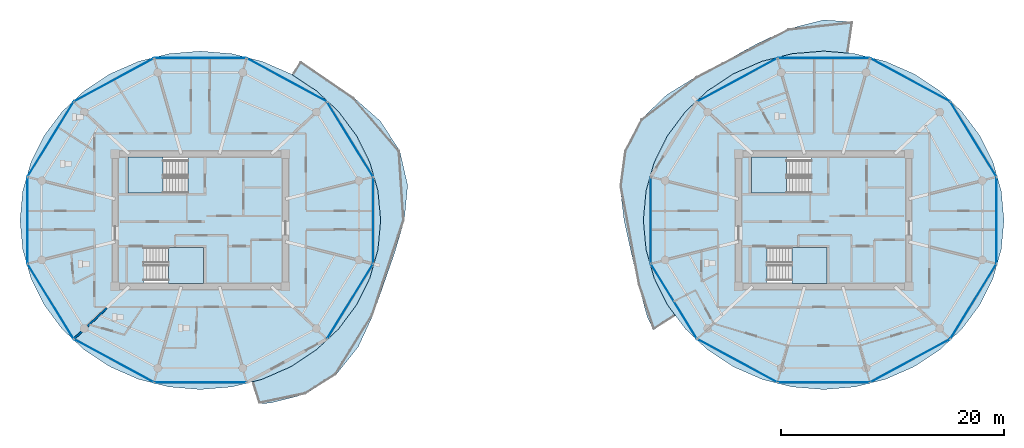
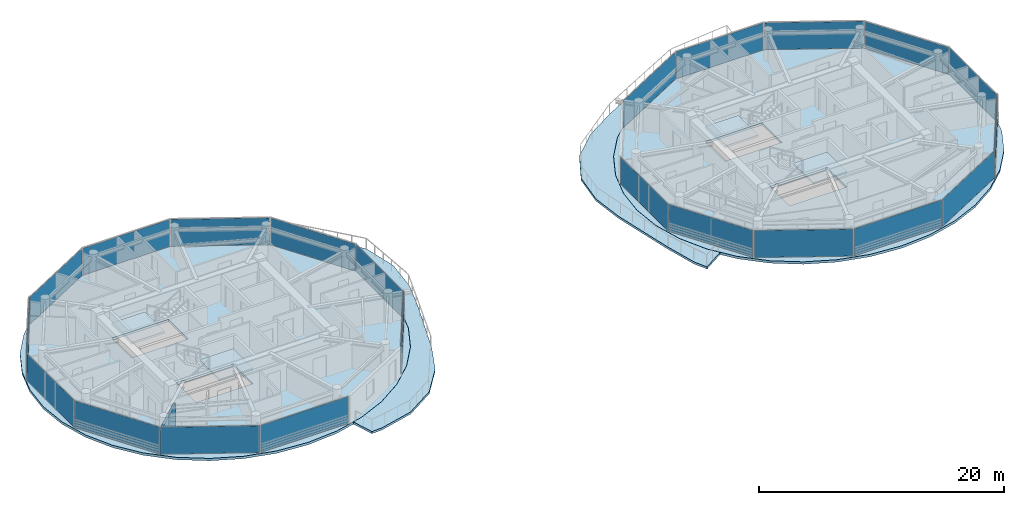
# One storey, part 8 of 19: 22 plates, 8 slabs, 1 wall, 26 elements without a shape of their own.
"""IFC4 building model written with IfcOpenShell, lengths in metres."""

from ifc_helpers import new_model, si_unit, direction, frame, frame_2d, origin, origin_2d, place, context, subcontext, project, spatial, polyline, rectangle, outline, extrude, source, transform, mapped, material, layer, layer_set, type_object, type_shapes, element, aggregate, save


model = new_model("IFC4")

# Units and contexts
model_context = context("Model", 3, precision=1e-05, world=origin(), true_north=direction((0.0, 1.0)))
body_context = subcontext(model_context, "Body", "Model", "MODEL_VIEW")
ifc_project = project(units=[si_unit("LENGTHUNIT", "METRE"), si_unit("AREAUNIT", "SQUARE_METRE"), si_unit("VOLUMEUNIT", "CUBIC_METRE"), si_unit("PLANEANGLEUNIT", "RADIAN"), si_unit("MASSUNIT", "GRAM", prefix="KILO")], contexts=[model_context])

# Site, building, storey
site_placement = place(None, origin())
site = spatial("IfcSite", under=ifc_project, at=site_placement, CompositionType="ELEMENT")
building_placement = place(site_placement, origin())
building = spatial("IfcBuilding", under=site, at=building_placement, Name="Norrkilde Senior Care Towers", CompositionType="ELEMENT")
storey_placement = place(building_placement, frame((0.0, 0.0, 193.699951171875)))
storey = spatial("IfcBuildingStorey", under=building, at=storey_placement, Name="L60", CompositionType="ELEMENT", Elevation=193.699951171875)

# Slabs
ifc_material_1 = material(Name="Concrete C50/60", Category="concrete")
ifc_layer_1 = layer(ifc_material_1, 0.215087890625)
ifc_layer_set_1 = layer_set([ifc_layer_1], Name="Concrete C50/60")
slab_type_1 = type_object("IfcSlabType", Name="Sinusoidal Balcony Ribbon Slab 215", PredefinedType="FLOOR", material=ifc_layer_set_1)
slab_1_placement = place(storey_placement, frame((0.0, 0.0, -0.21484375)))
element("IfcSlab", 1, at=slab_1_placement, inside=storey, type_object=slab_type_1, Name="L60 Drum W Swirling Senior Balcony 1", PredefinedType="FLOOR", context=body_context, shape_type="SweptSolid", body=[
    extrude(outline(polyline([(-12.490478515625, -8.510498046875), (-13.80859375, -11.363525390625), (-15.82177734375, -13.8857421875), (-18.568115234375, -15.6220703125), (-21.72900390625, -16.421630859375), (-22.727294921875, -16.46923828125), (-23.353515625, -14.51318359375), (-22.45751953125, -14.2880859375), (-19.8974609375, -13.16796875), (-17.583740234375, -11.647705078125), (-15.586181640625, -9.773681640625), (-13.966064453125, -7.6025390625), (-12.772216796875, -5.200439453125), (-12.041259765625, -2.640380859375), (-11.794921875, 0.0), (-12.041259765625, 2.640380859375), (-12.772216796875, 5.200439453125), (-13.966064453125, 7.6025390625), (-15.586181640625, 9.773681640625), (-17.583740234375, 11.647705078125), (-19.76806640625, 13.0830078125), (-19.001708984375, 14.301025390625), (-16.722900390625, 12.7412109375), (-14.20361328125, 11.01025390625), (-11.83056640625, 8.916748046875), (-10.084228515625, 6.2431640625), (-9.374267578125, 3.1416015625), (-9.675048828125, 0.0), (-10.541259765625, -2.92236328125), (-11.50732421875, -5.691162109375), (-12.490478515625, -8.510498046875)])), origin(), (0.0, 0.0, 1.0), 0.21484375),
])
slab_2_placement = place(storey_placement, frame((0.0, 0.0, -0.21484375)))
element("IfcSlab", 2, at=slab_2_placement, inside=storey, type_object=slab_type_1, Name="L60 Drum E Swirling Senior Balcony 1", PredefinedType="FLOOR", context=body_context, shape_type="SweptSolid", body=[
    extrude(outline(polyline([(11.349365234375, -5.75244140625), (10.707763671875, -2.890869140625), (10.0625, 0.0), (9.697265625, 3.080810546875), (10.116943359375, 6.230712890625), (11.5888671875, 9.0654296875), (13.90576171875, 11.276611328125), (16.58056640625, 12.922119140625), (19.257080078125, 14.3505859375), (21.93359375, 15.82275390625), (24.818115234375, 17.1982421875), (28.0, 17.99609375), (30.62353515625, 17.826416015625), (30.2109375, 15.0234375), (28.0, 15.205078125), (25.18603515625, 14.97412109375), (22.45751953125, 14.2880859375), (19.8974609375, 13.16796875), (17.583740234375, 11.647705078125), (15.586181640625, 9.773681640625), (13.966064453125, 7.6025390625), (12.772216796875, 5.200439453125), (12.041259765625, 2.640380859375), (11.794921875, 0.0), (12.041259765625, -2.640380859375), (12.772216796875, -5.200439453125), (13.966064453125, -7.6025390625), (14.6904296875, -8.572998046875), (12.71435546875, -9.845947265625), (12.16064453125, -8.713623046875), (11.349365234375, -5.75244140625)])), origin(), (0.0, 0.0, 1.0), 0.21484375),
])

# Stair, slab
ifc_material_2 = material(Name="Concrete C45/55", Category="concrete")
stair_type = type_object("IfcStairType", Name="Core Protected Dogleg Stair Typical 3050", PredefinedType="HALF_TURN_STAIR", material=ifc_material_2)
stair_1_placement = place(storey_placement, origin())
stair_1 = element("IfcStair", 3, at=stair_1_placement, inside=storey, type_object=stair_type, Name="L60 Protected Core Stair W1", PredefinedType="HALF_TURN_STAIR")
ifc_layer_2 = layer(ifc_material_2, 0.199951171875)
ifc_layer_set_2 = layer_set([ifc_layer_2], Name="Concrete C45/55")
slab_type_2 = type_object("IfcSlabType", Name="Stair Landing Slab 200", PredefinedType="LANDING", material=ifc_layer_set_2)
slab_3_placement = place(storey_placement, frame((0.0, 0.0, 1.324951171875)))
slab_3 = element("IfcSlab", 4, at=slab_3_placement, type_object=slab_type_2, Name="ST-W1 landing 1", PredefinedType="LANDING", context=body_context, shape_type="SweptSolid", body=[
    extrude(outline(polyline([(-31.340087890625, 5.68994140625), (-34.5, 5.68994140625), (-34.5, 2.449951171875), (-31.340087890625, 2.449951171875), (-31.340087890625, 5.68994140625)])), origin(), (0.0, 0.0, 1.0), 0.2001953125),
])
aggregate(stair_1, [slab_3])

stair_2_placement = place(storey_placement, origin())
stair_2 = element("IfcStair", 5, at=stair_2_placement, inside=storey, type_object=stair_type, Name="L60 Protected Core Stair W2", PredefinedType="HALF_TURN_STAIR")
slab_4_placement = place(storey_placement, frame((0.0, 0.0, 1.324951171875)))
slab_4 = element("IfcSlab", 6, at=slab_4_placement, type_object=slab_type_2, Name="ST-W2 landing 1", PredefinedType="LANDING", context=body_context, shape_type="SweptSolid", body=[
    extrude(outline(polyline([(-30.860107421875, -5.68994140625), (-27.699951171875, -5.68994140625), (-27.699951171875, -2.449951171875), (-30.860107421875, -2.449951171875), (-30.860107421875, -5.68994140625)])), origin(), (0.0, 0.0, 1.0), 0.2001953125),
])
aggregate(stair_2, [slab_4])

stair_3_placement = place(storey_placement, origin())
stair_3 = element("IfcStair", 7, at=stair_3_placement, inside=storey, type_object=stair_type, Name="L60 Protected Core Stair E1", PredefinedType="HALF_TURN_STAIR")
slab_5_placement = place(storey_placement, frame((0.0, 0.0, 1.324951171875)))
slab_5 = element("IfcSlab", 8, at=slab_5_placement, type_object=slab_type_2, Name="ST-E1 landing 1", PredefinedType="LANDING", context=body_context, shape_type="SweptSolid", body=[
    extrude(outline(polyline([(24.659912109375, 5.68994140625), (21.5, 5.68994140625), (21.5, 2.449951171875), (24.659912109375, 2.449951171875), (24.659912109375, 5.68994140625)])), origin(), (0.0, 0.0, 1.0), 0.2001953125),
])
aggregate(stair_3, [slab_5])

stair_4_placement = place(storey_placement, origin())
stair_4 = element("IfcStair", 9, at=stair_4_placement, inside=storey, type_object=stair_type, Name="L60 Protected Core Stair E2", PredefinedType="HALF_TURN_STAIR")
slab_6_placement = place(storey_placement, frame((0.0, 0.0, 1.324951171875)))
slab_6 = element("IfcSlab", 10, at=slab_6_placement, type_object=slab_type_2, Name="ST-E2 landing 1", PredefinedType="LANDING", context=body_context, shape_type="SweptSolid", body=[
    extrude(outline(polyline([(25.139892578125, -5.68994140625), (28.300048828125, -5.68994140625), (28.300048828125, -2.449951171875), (25.139892578125, -2.449951171875), (25.139892578125, -5.68994140625)])), origin(), (0.0, 0.0, 1.0), 0.2001953125),
])
aggregate(stair_4, [slab_6])

# Slabs
ifc_layer_3 = layer(ifc_material_1, 0.239990234375)
ifc_layer_set_3 = layer_set([ifc_layer_3], Name="Concrete C50/60")
slab_type_3 = type_object("IfcSlabType", Name="Tower Residence Floor Slab 240", PredefinedType="FLOOR", material=ifc_layer_set_3)
slab_7_placement = place(storey_placement, frame((0.0, 0.0, -0.239990234375)))
element("IfcSlab", 11, at=slab_7_placement, inside=storey, type_object=slab_type_3, Name="L60 Drum W Structural Floor Slab", PredefinedType="FLOOR", context=body_context, shape_type="SweptSolid", body=[
    extrude(outline(polyline([(-12.777099609375, -5.19873046875), (-13.970458984375, -7.60009765625), (-15.590087890625, -9.770263671875), (-17.5869140625, -11.643798828125), (-19.89990234375, -13.16357421875), (-22.459228515625, -14.283447265625), (-25.18701171875, -14.968994140625), (-28.0, -15.199951171875), (-30.81298828125, -14.968994140625), (-33.540771484375, -14.283447265625), (-36.10009765625, -13.16357421875), (-38.4130859375, -11.643798828125), (-40.409912109375, -9.770263671875), (-42.029541015625, -7.60009765625), (-43.222900390625, -5.19873046875), (-43.953857421875, -2.639404296875), (-44.199951171875, 0.0), (-43.953857421875, 2.639404296875), (-43.222900390625, 5.19873046875), (-42.029541015625, 7.60009765625), (-40.409912109375, 9.770263671875), (-38.4130859375, 11.643798828125), (-36.10009765625, 13.16357421875), (-33.540771484375, 14.283447265625), (-30.81298828125, 14.968994140625), (-28.0, 15.199951171875), (-25.18701171875, 14.968994140625), (-22.459228515625, 14.283447265625), (-19.89990234375, 13.16357421875), (-17.5869140625, 11.643798828125), (-15.590087890625, 9.770263671875), (-13.970458984375, 7.60009765625), (-12.777099609375, 5.19873046875), (-12.046142578125, 2.639404296875), (-11.800048828125, 0.0), (-12.046142578125, -2.639404296875), (-12.777099609375, -5.19873046875)]), holes=[polyline([(-34.48193359375, 2.468017578125), (-29.117919921875, 2.468017578125), (-29.117919921875, 5.68994140625), (-34.48193359375, 5.68994140625), (-34.48193359375, 2.468017578125)]), polyline([(-27.718017578125, -5.68994140625), (-27.718017578125, -2.468017578125), (-33.08203125, -2.468017578125), (-33.08203125, -5.68994140625), (-27.718017578125, -5.68994140625)])]), origin(), (0.0, 0.0, 1.0), 0.239990234375),
])
slab_8_placement = place(storey_placement, frame((0.0, 0.0, -0.239990234375)))
element("IfcSlab", 12, at=slab_8_placement, inside=storey, type_object=slab_type_3, Name="L60 Drum E Structural Floor Slab", PredefinedType="FLOOR", context=body_context, shape_type="SweptSolid", body=[
    extrude(outline(polyline([(43.222900390625, -5.19873046875), (42.029541015625, -7.60009765625), (40.409912109375, -9.770263671875), (38.4130859375, -11.643798828125), (36.10009765625, -13.16357421875), (33.540771484375, -14.283447265625), (30.81298828125, -14.968994140625), (28.0, -15.199951171875), (25.18701171875, -14.968994140625), (22.459228515625, -14.283447265625), (19.89990234375, -13.16357421875), (17.5869140625, -11.643798828125), (15.590087890625, -9.770263671875), (13.970458984375, -7.60009765625), (12.777099609375, -5.19873046875), (12.046142578125, -2.639404296875), (11.800048828125, 0.0), (12.046142578125, 2.639404296875), (12.777099609375, 5.19873046875), (13.970458984375, 7.60009765625), (15.590087890625, 9.770263671875), (17.5869140625, 11.643798828125), (19.89990234375, 13.16357421875), (22.459228515625, 14.283447265625), (25.18701171875, 14.968994140625), (28.0, 15.199951171875), (30.81298828125, 14.968994140625), (33.540771484375, 14.283447265625), (36.10009765625, 13.16357421875), (38.4130859375, 11.643798828125), (40.409912109375, 9.770263671875), (42.029541015625, 7.60009765625), (43.222900390625, 5.19873046875), (43.953857421875, 2.639404296875), (44.199951171875, 0.0), (43.953857421875, -2.639404296875), (43.222900390625, -5.19873046875)]), holes=[polyline([(21.51806640625, 2.468017578125), (26.882080078125, 2.468017578125), (26.882080078125, 5.68994140625), (21.51806640625, 5.68994140625), (21.51806640625, 2.468017578125)]), polyline([(28.281982421875, -5.68994140625), (28.281982421875, -2.468017578125), (22.91796875, -2.468017578125), (22.91796875, -5.68994140625), (28.281982421875, -5.68994140625)])]), origin(), (0.0, 0.0, 1.0), 0.239990234375),
])

# Curtain wall, plate
ifc_material_3 = material(Name="Triple Low-E Insulated Glazing", Category="glass")
ifc_layer_4 = layer(ifc_material_3, 0.18505859375)
ifc_layer_set_4 = layer_set([ifc_layer_4], Name="Triple Low-E Insulated Glazing")
curtain_wall_type = type_object("IfcCurtainWallType", Name="CW6 Zone 4 Crown Pavilion Curtain Wall", PredefinedType="NOTDEFINED", material=ifc_layer_set_4)
curtain_wall_1_placement = place(storey_placement, origin())
curtain_wall_1 = element("IfcCurtainWall", 13, at=curtain_wall_1_placement, inside=storey, type_object=curtain_wall_type, Name="L60 Drum W Curtain Wall 00", PredefinedType="NOTDEFINED")
ifc_layer_5 = layer(ifc_material_3, 0.035888671875)
ifc_layer_set_5 = layer_set([ifc_layer_5], Name="Triple Low-E Insulated Glazing")
plate_type = type_object("IfcPlateType", Name="Triple Low-E Vision Curtain Panel 36", PredefinedType="CURTAIN_PANEL", material=ifc_layer_set_5)
shared_shape_1 = source(origin(), body_context, "Body", "SweptSolid", [
    extrude(rectangle(XDim=7.80859375, YDim=0.035888671875, at=origin_2d()), origin(), (0.0, 0.0, 1.0), 2.68994140625),
])
plate_1_placement = place(storey_placement, frame((-14.548828125, 7.282958984375, 0.06005859375), z_axis=(0.0, 0.0, 1.0), x_axis=(0.524252726748, -0.851562727283, 0.0)))
plate_1 = element("IfcPlate", 14, at=plate_1_placement, type_object=plate_type, Name="CW-6 panel 1.1", PredefinedType="CURTAIN_PANEL", context=body_context, shape_type="MappedRepresentation", body=[
    mapped(shared_shape_1, transform((0.0, 0.0, 0.0), x_axis=(1.0, 0.0, 0.0), y_axis=(0.0, 1.0, 0.0), z_axis=(0.0, 0.0, 1.0), scale=1.0)),
])
aggregate(curtain_wall_1, [plate_1])

curtain_wall_2_placement = place(storey_placement, origin())
curtain_wall_2 = element("IfcCurtainWall", 15, at=curtain_wall_2_placement, inside=storey, type_object=curtain_wall_type, Name="L60 Drum W Curtain Wall 04", PredefinedType="NOTDEFINED")
plate_2_placement = place(storey_placement, frame((-41.451171875, 7.282958984375, 0.06005859375), z_axis=(0.0, 0.0, 1.0), x_axis=(0.524252726748, 0.851562727283, 0.0)))
plate_2 = element("IfcPlate", 16, at=plate_2_placement, type_object=plate_type, Name="CW-6 panel 1.1", PredefinedType="CURTAIN_PANEL", context=body_context, shape_type="MappedRepresentation", body=[
    mapped(shared_shape_1, transform((0.0, 0.0, 0.0), x_axis=(1.0, 0.0, 0.0), y_axis=(0.0, 1.0, 0.0), z_axis=(0.0, 0.0, 1.0), scale=1.0)),
])
aggregate(curtain_wall_2, [plate_2])

curtain_wall_3_placement = place(storey_placement, origin())
curtain_wall_3 = element("IfcCurtainWall", 17, at=curtain_wall_3_placement, inside=storey, type_object=curtain_wall_type, Name="L60 Drum W Curtain Wall 06", PredefinedType="NOTDEFINED")
plate_3_placement = place(storey_placement, frame((-41.451171875, -7.282958984375, 0.06005859375), z_axis=(0.0, 0.0, 1.0), x_axis=(-0.524252726748, 0.851562727283, 0.0)))
plate_3 = element("IfcPlate", 18, at=plate_3_placement, type_object=plate_type, Name="CW-6 panel 1.1", PredefinedType="CURTAIN_PANEL", context=body_context, shape_type="MappedRepresentation", body=[
    mapped(shared_shape_1, transform((0.0, 0.0, 0.0), x_axis=(1.0, 0.0, 0.0), y_axis=(0.0, 1.0, 0.0), z_axis=(0.0, 0.0, 1.0), scale=1.0)),
])
aggregate(curtain_wall_3, [plate_3])

curtain_wall_4_placement = place(storey_placement, origin())
curtain_wall_4 = element("IfcCurtainWall", 19, at=curtain_wall_4_placement, inside=storey, type_object=curtain_wall_type, Name="L60 Drum W Curtain Wall 10", PredefinedType="NOTDEFINED")
plate_4_placement = place(storey_placement, frame((-14.548828125, -7.282958984375, 0.06005859375), z_axis=(0.0, 0.0, 1.0), x_axis=(-0.524252726748, -0.851562727283, 0.0)))
plate_4 = element("IfcPlate", 20, at=plate_4_placement, type_object=plate_type, Name="CW-6 panel 1.1", PredefinedType="CURTAIN_PANEL", context=body_context, shape_type="MappedRepresentation", body=[
    mapped(shared_shape_1, transform((0.0, 0.0, 0.0), x_axis=(1.0, 0.0, 0.0), y_axis=(0.0, 1.0, 0.0), z_axis=(0.0, 0.0, 1.0), scale=1.0)),
])
aggregate(curtain_wall_4, [plate_4])

curtain_wall_5_placement = place(storey_placement, origin())
curtain_wall_5 = element("IfcCurtainWall", 21, at=curtain_wall_5_placement, inside=storey, type_object=curtain_wall_type, Name="L60 Drum E Curtain Wall 00", PredefinedType="NOTDEFINED")
plate_5_placement = place(storey_placement, frame((41.451171875, 7.282958984375, 0.06005859375), z_axis=(0.0, 0.0, 1.0), x_axis=(0.524252726748, -0.851562727283, 0.0)))
plate_5 = element("IfcPlate", 22, at=plate_5_placement, type_object=plate_type, Name="CW-6 panel 1.1", PredefinedType="CURTAIN_PANEL", context=body_context, shape_type="MappedRepresentation", body=[
    mapped(shared_shape_1, transform((0.0, 0.0, 0.0), x_axis=(1.0, 0.0, 0.0), y_axis=(0.0, 1.0, 0.0), z_axis=(0.0, 0.0, 1.0), scale=1.0)),
])
aggregate(curtain_wall_5, [plate_5])

curtain_wall_6_placement = place(storey_placement, origin())
curtain_wall_6 = element("IfcCurtainWall", 23, at=curtain_wall_6_placement, inside=storey, type_object=curtain_wall_type, Name="L60 Drum E Curtain Wall 06", PredefinedType="NOTDEFINED")
plate_6_placement = place(storey_placement, frame((14.548828125, -7.282958984375, 0.06005859375), z_axis=(0.0, 0.0, 1.0), x_axis=(-0.524252726748, 0.851562727283, 0.0)))
plate_6 = element("IfcPlate", 24, at=plate_6_placement, type_object=plate_type, Name="CW-6 panel 1.1", PredefinedType="CURTAIN_PANEL", context=body_context, shape_type="MappedRepresentation", body=[
    mapped(shared_shape_1, transform((0.0, 0.0, 0.0), x_axis=(1.0, 0.0, 0.0), y_axis=(0.0, 1.0, 0.0), z_axis=(0.0, 0.0, 1.0), scale=1.0)),
])
aggregate(curtain_wall_6, [plate_6])

curtain_wall_7_placement = place(storey_placement, origin())
curtain_wall_7 = element("IfcCurtainWall", 25, at=curtain_wall_7_placement, inside=storey, type_object=curtain_wall_type, Name="L60 Drum E Curtain Wall 10", PredefinedType="NOTDEFINED")
plate_7_placement = place(storey_placement, frame((41.451171875, -7.282958984375, 0.06005859375), z_axis=(0.0, 0.0, 1.0), x_axis=(-0.524252726748, -0.851562727283, 0.0)))
plate_7 = element("IfcPlate", 26, at=plate_7_placement, type_object=plate_type, Name="CW-6 panel 1.1", PredefinedType="CURTAIN_PANEL", context=body_context, shape_type="MappedRepresentation", body=[
    mapped(shared_shape_1, transform((0.0, 0.0, 0.0), x_axis=(1.0, 0.0, 0.0), y_axis=(0.0, 1.0, 0.0), z_axis=(0.0, 0.0, 1.0), scale=1.0)),
])
aggregate(curtain_wall_7, [plate_7])

curtain_wall_8_placement = place(storey_placement, origin())
curtain_wall_8 = element("IfcCurtainWall", 27, at=curtain_wall_8_placement, inside=storey, type_object=curtain_wall_type, Name="L60 Drum W Curtain Wall 02", PredefinedType="NOTDEFINED")
shared_shape_2 = source(origin(), body_context, "Body", "SweptSolid", [
    extrude(rectangle(XDim=8.193603515625, YDim=0.035888671875, at=origin_2d()), origin(), (0.0, 0.0, 1.0), 2.68994140625),
])
plate_8_placement = place(storey_placement, frame((-28.0, 14.566162109375, 0.06005859375), z_axis=(0.0, 0.0, 1.0), x_axis=(1.0, 0.0, 0.0)))
plate_8 = element("IfcPlate", 28, at=plate_8_placement, type_object=plate_type, Name="CW-6 panel 1.1", PredefinedType="CURTAIN_PANEL", context=body_context, shape_type="MappedRepresentation", body=[
    mapped(shared_shape_2, transform((0.0, 0.0, 0.0), x_axis=(1.0, 0.0, 0.0), y_axis=(0.0, 1.0, 0.0), z_axis=(0.0, 0.0, 1.0), scale=1.0)),
])
aggregate(curtain_wall_8, [plate_8])

curtain_wall_9_placement = place(storey_placement, origin())
curtain_wall_9 = element("IfcCurtainWall", 29, at=curtain_wall_9_placement, inside=storey, type_object=curtain_wall_type, Name="L60 Drum W Curtain Wall 08", PredefinedType="NOTDEFINED")
plate_9_placement = place(storey_placement, frame((-28.0, -14.566162109375, 0.06005859375), z_axis=(0.0, 0.0, 1.0), x_axis=(-1.0, 0.0, 0.0)))
plate_9 = element("IfcPlate", 30, at=plate_9_placement, type_object=plate_type, Name="CW-6 panel 1.1", PredefinedType="CURTAIN_PANEL", context=body_context, shape_type="MappedRepresentation", body=[
    mapped(shared_shape_2, transform((0.0, 0.0, 0.0), x_axis=(1.0, 0.0, 0.0), y_axis=(0.0, 1.0, 0.0), z_axis=(0.0, 0.0, 1.0), scale=1.0)),
])
aggregate(curtain_wall_9, [plate_9])

curtain_wall_10_placement = place(storey_placement, origin())
curtain_wall_10 = element("IfcCurtainWall", 31, at=curtain_wall_10_placement, inside=storey, type_object=curtain_wall_type, Name="L60 Drum E Curtain Wall 02", PredefinedType="NOTDEFINED")
plate_10_placement = place(storey_placement, frame((28.0, 14.566162109375, 0.06005859375), z_axis=(0.0, 0.0, 1.0), x_axis=(1.0, 0.0, 0.0)))
plate_10 = element("IfcPlate", 32, at=plate_10_placement, type_object=plate_type, Name="CW-6 panel 1.1", PredefinedType="CURTAIN_PANEL", context=body_context, shape_type="MappedRepresentation", body=[
    mapped(shared_shape_2, transform((0.0, 0.0, 0.0), x_axis=(1.0, 0.0, 0.0), y_axis=(0.0, 1.0, 0.0), z_axis=(0.0, 0.0, 1.0), scale=1.0)),
])
aggregate(curtain_wall_10, [plate_10])

curtain_wall_11_placement = place(storey_placement, origin())
curtain_wall_11 = element("IfcCurtainWall", 33, at=curtain_wall_11_placement, inside=storey, type_object=curtain_wall_type, Name="L60 Drum E Curtain Wall 08", PredefinedType="NOTDEFINED")
plate_11_placement = place(storey_placement, frame((28.0, -14.566162109375, 0.06005859375), z_axis=(0.0, 0.0, 1.0), x_axis=(-1.0, 0.0, 0.0)))
plate_11 = element("IfcPlate", 34, at=plate_11_placement, type_object=plate_type, Name="CW-6 panel 1.1", PredefinedType="CURTAIN_PANEL", context=body_context, shape_type="MappedRepresentation", body=[
    mapped(shared_shape_2, transform((0.0, 0.0, 0.0), x_axis=(1.0, 0.0, 0.0), y_axis=(0.0, 1.0, 0.0), z_axis=(0.0, 0.0, 1.0), scale=1.0)),
])
aggregate(curtain_wall_11, [plate_11])

curtain_wall_12_placement = place(storey_placement, origin())
curtain_wall_12 = element("IfcCurtainWall", 35, at=curtain_wall_12_placement, inside=storey, type_object=curtain_wall_type, Name="L60 Drum W Curtain Wall 01", PredefinedType="NOTDEFINED")
shared_shape_3 = source(origin(), body_context, "Body", "SweptSolid", [
    extrude(rectangle(XDim=8.0673828125, YDim=0.035888671875, at=origin_2d()), origin(), (0.0, 0.0, 1.0), 2.68994140625),
])
plate_12_placement = place(storey_placement, frame((-20.23388671875, 12.61474609375, 0.06005859375), z_axis=(0.0, 0.0, 1.0), x_axis=(0.879373455772, -0.476132676136, 0.0)))
plate_12 = element("IfcPlate", 36, at=plate_12_placement, type_object=plate_type, Name="CW-6 panel 1.1", PredefinedType="CURTAIN_PANEL", context=body_context, shape_type="MappedRepresentation", body=[
    mapped(shared_shape_3, transform((0.0, 0.0, 0.0), x_axis=(1.0, 0.0, 0.0), y_axis=(0.0, 1.0, 0.0), z_axis=(0.0, 0.0, 1.0), scale=1.0)),
])
aggregate(curtain_wall_12, [plate_12])

curtain_wall_13_placement = place(storey_placement, origin())
curtain_wall_13 = element("IfcCurtainWall", 37, at=curtain_wall_13_placement, inside=storey, type_object=curtain_wall_type, Name="L60 Drum W Curtain Wall 03", PredefinedType="NOTDEFINED")
plate_13_placement = place(storey_placement, frame((-35.76611328125, 12.61474609375, 0.06005859375), z_axis=(0.0, 0.0, 1.0), x_axis=(0.879373455772, 0.476132676136, 0.0)))
plate_13 = element("IfcPlate", 38, at=plate_13_placement, type_object=plate_type, Name="CW-6 panel 1.1", PredefinedType="CURTAIN_PANEL", context=body_context, shape_type="MappedRepresentation", body=[
    mapped(shared_shape_3, transform((0.0, 0.0, 0.0), x_axis=(1.0, 0.0, 0.0), y_axis=(0.0, 1.0, 0.0), z_axis=(0.0, 0.0, 1.0), scale=1.0)),
])
aggregate(curtain_wall_13, [plate_13])

curtain_wall_14_placement = place(storey_placement, origin())
curtain_wall_14 = element("IfcCurtainWall", 39, at=curtain_wall_14_placement, inside=storey, type_object=curtain_wall_type, Name="L60 Drum W Curtain Wall 07", PredefinedType="NOTDEFINED")
plate_14_placement = place(storey_placement, frame((-35.76611328125, -12.61474609375, 0.06005859375), z_axis=(0.0, 0.0, 1.0), x_axis=(-0.879373455772, 0.476132676136, 0.0)))
plate_14 = element("IfcPlate", 40, at=plate_14_placement, type_object=plate_type, Name="CW-6 panel 1.1", PredefinedType="CURTAIN_PANEL", context=body_context, shape_type="MappedRepresentation", body=[
    mapped(shared_shape_3, transform((0.0, 0.0, 0.0), x_axis=(1.0, 0.0, 0.0), y_axis=(0.0, 1.0, 0.0), z_axis=(0.0, 0.0, 1.0), scale=1.0)),
])
aggregate(curtain_wall_14, [plate_14])

curtain_wall_15_placement = place(storey_placement, origin())
curtain_wall_15 = element("IfcCurtainWall", 41, at=curtain_wall_15_placement, inside=storey, type_object=curtain_wall_type, Name="L60 Drum E Curtain Wall 01", PredefinedType="NOTDEFINED")
plate_15_placement = place(storey_placement, frame((35.76611328125, 12.61474609375, 0.06005859375), z_axis=(0.0, 0.0, 1.0), x_axis=(0.879373455772, -0.476132676136, 0.0)))
plate_15 = element("IfcPlate", 42, at=plate_15_placement, type_object=plate_type, Name="CW-6 panel 1.1", PredefinedType="CURTAIN_PANEL", context=body_context, shape_type="MappedRepresentation", body=[
    mapped(shared_shape_3, transform((0.0, 0.0, 0.0), x_axis=(1.0, 0.0, 0.0), y_axis=(0.0, 1.0, 0.0), z_axis=(0.0, 0.0, 1.0), scale=1.0)),
])
aggregate(curtain_wall_15, [plate_15])

curtain_wall_16_placement = place(storey_placement, origin())
curtain_wall_16 = element("IfcCurtainWall", 43, at=curtain_wall_16_placement, inside=storey, type_object=curtain_wall_type, Name="L60 Drum E Curtain Wall 03", PredefinedType="NOTDEFINED")
plate_16_placement = place(storey_placement, frame((20.23388671875, 12.61474609375, 0.06005859375), z_axis=(0.0, 0.0, 1.0), x_axis=(0.879373455772, 0.476132676136, 0.0)))
plate_16 = element("IfcPlate", 44, at=plate_16_placement, type_object=plate_type, Name="CW-6 panel 1.1", PredefinedType="CURTAIN_PANEL", context=body_context, shape_type="MappedRepresentation", body=[
    mapped(shared_shape_3, transform((0.0, 0.0, 0.0), x_axis=(1.0, 0.0, 0.0), y_axis=(0.0, 1.0, 0.0), z_axis=(0.0, 0.0, 1.0), scale=1.0)),
])
aggregate(curtain_wall_16, [plate_16])

curtain_wall_17_placement = place(storey_placement, origin())
curtain_wall_17 = element("IfcCurtainWall", 45, at=curtain_wall_17_placement, inside=storey, type_object=curtain_wall_type, Name="L60 Drum E Curtain Wall 07", PredefinedType="NOTDEFINED")
plate_17_placement = place(storey_placement, frame((20.23388671875, -12.61474609375, 0.06005859375), z_axis=(0.0, 0.0, 1.0), x_axis=(-0.879373455772, 0.476132676136, 0.0)))
plate_17 = element("IfcPlate", 46, at=plate_17_placement, type_object=plate_type, Name="CW-6 panel 1.1", PredefinedType="CURTAIN_PANEL", context=body_context, shape_type="MappedRepresentation", body=[
    mapped(shared_shape_3, transform((0.0, 0.0, 0.0), x_axis=(1.0, 0.0, 0.0), y_axis=(0.0, 1.0, 0.0), z_axis=(0.0, 0.0, 1.0), scale=1.0)),
])
aggregate(curtain_wall_17, [plate_17])

curtain_wall_18_placement = place(storey_placement, origin())
curtain_wall_18 = element("IfcCurtainWall", 47, at=curtain_wall_18_placement, inside=storey, type_object=curtain_wall_type, Name="L60 Drum E Curtain Wall 09", PredefinedType="NOTDEFINED")
plate_18_placement = place(storey_placement, frame((35.76611328125, -12.61474609375, 0.06005859375), z_axis=(0.0, 0.0, 1.0), x_axis=(-0.879373455772, -0.476132676136, 0.0)))
plate_18 = element("IfcPlate", 48, at=plate_18_placement, type_object=plate_type, Name="CW-6 panel 1.1", PredefinedType="CURTAIN_PANEL", context=body_context, shape_type="MappedRepresentation", body=[
    mapped(shared_shape_3, transform((0.0, 0.0, 0.0), x_axis=(1.0, 0.0, 0.0), y_axis=(0.0, 1.0, 0.0), z_axis=(0.0, 0.0, 1.0), scale=1.0)),
])
aggregate(curtain_wall_18, [plate_18])

curtain_wall_19_placement = place(storey_placement, origin())
curtain_wall_19 = element("IfcCurtainWall", 49, at=curtain_wall_19_placement, inside=storey, type_object=curtain_wall_type, Name="L60 Drum W Curtain Wall 05", PredefinedType="NOTDEFINED")
shared_shape_4 = source(origin(), body_context, "Body", "SweptSolid", [
    extrude(rectangle(XDim=7.676025390625, YDim=0.035888671875, at=origin_2d()), origin(), (0.0, 0.0, 1.0), 2.68994140625),
])
type_shapes(plate_type, [shared_shape_1, shared_shape_2, shared_shape_3, shared_shape_4])
plate_19_placement = place(storey_placement, frame((-43.531982421875, 0.0, 0.06005859375), z_axis=(0.0, 0.0, 1.0), x_axis=(0.0, 1.0, 0.0)))
plate_19 = element("IfcPlate", 50, at=plate_19_placement, type_object=plate_type, Name="CW-6 panel 1.1", PredefinedType="CURTAIN_PANEL", context=body_context, shape_type="MappedRepresentation", body=[
    mapped(shared_shape_4, transform((0.0, 0.0, 0.0), x_axis=(1.0, 0.0, 0.0), y_axis=(0.0, 1.0, 0.0), z_axis=(0.0, 0.0, 1.0), scale=1.0)),
])
aggregate(curtain_wall_19, [plate_19])

curtain_wall_20_placement = place(storey_placement, origin())
curtain_wall_20 = element("IfcCurtainWall", 51, at=curtain_wall_20_placement, inside=storey, type_object=curtain_wall_type, Name="L60 Drum W Curtain Wall 11", PredefinedType="NOTDEFINED")
plate_20_placement = place(storey_placement, frame((-12.468017578125, 0.0, 0.06005859375), z_axis=(0.0, 0.0, 1.0), x_axis=(0.0, -1.0, 0.0)))
plate_20 = element("IfcPlate", 52, at=plate_20_placement, type_object=plate_type, Name="CW-6 panel 1.1", PredefinedType="CURTAIN_PANEL", context=body_context, shape_type="MappedRepresentation", body=[
    mapped(shared_shape_4, transform((0.0, 0.0, 0.0), x_axis=(1.0, 0.0, 0.0), y_axis=(0.0, 1.0, 0.0), z_axis=(0.0, 0.0, 1.0), scale=1.0)),
])
aggregate(curtain_wall_20, [plate_20])

curtain_wall_21_placement = place(storey_placement, origin())
curtain_wall_21 = element("IfcCurtainWall", 53, at=curtain_wall_21_placement, inside=storey, type_object=curtain_wall_type, Name="L60 Drum E Curtain Wall 05", PredefinedType="NOTDEFINED")
plate_21_placement = place(storey_placement, frame((12.468017578125, 0.0, 0.06005859375), z_axis=(0.0, 0.0, 1.0), x_axis=(0.0, 1.0, 0.0)))
plate_21 = element("IfcPlate", 54, at=plate_21_placement, type_object=plate_type, Name="CW-6 panel 1.1", PredefinedType="CURTAIN_PANEL", context=body_context, shape_type="MappedRepresentation", body=[
    mapped(shared_shape_4, transform((0.0, 0.0, 0.0), x_axis=(1.0, 0.0, 0.0), y_axis=(0.0, 1.0, 0.0), z_axis=(0.0, 0.0, 1.0), scale=1.0)),
])
aggregate(curtain_wall_21, [plate_21])

curtain_wall_22_placement = place(storey_placement, origin())
curtain_wall_22 = element("IfcCurtainWall", 55, at=curtain_wall_22_placement, inside=storey, type_object=curtain_wall_type, Name="L60 Drum E Curtain Wall 11", PredefinedType="NOTDEFINED")
plate_22_placement = place(storey_placement, frame((43.531982421875, 0.0, 0.06005859375), z_axis=(0.0, 0.0, 1.0), x_axis=(0.0, -1.0, 0.0)))
plate_22 = element("IfcPlate", 56, at=plate_22_placement, type_object=plate_type, Name="CW-6 panel 1.1", PredefinedType="CURTAIN_PANEL", context=body_context, shape_type="MappedRepresentation", body=[
    mapped(shared_shape_4, transform((0.0, 0.0, 0.0), x_axis=(1.0, 0.0, 0.0), y_axis=(0.0, 1.0, 0.0), z_axis=(0.0, 0.0, 1.0), scale=1.0)),
])
aggregate(curtain_wall_22, [plate_22])

# Wall
ifc_material_4 = material(Name="Gypsum Acoustic Board")
ifc_layer_6 = layer(ifc_material_4, 0.18994140625)
ifc_layer_set_6 = layer_set([ifc_layer_6], Name="Gypsum Acoustic Board")
wall_type = type_object("IfcWallType", Name="Unit Demising Acoustic Wall 190", PredefinedType="PARTITIONING", material=ifc_layer_set_6)
shared_shape_5 = source(origin(), body_context, "Body", "SweptSolid", [
    extrude(rectangle(XDim=4.089111328125, YDim=0.18994140625, at=frame_2d((2.04443359375, 0.0))), origin(), (0.0, 0.0, 1.0), 2.39501953125),
])
type_shapes(wall_type, [shared_shape_5])
wall_placement = place(storey_placement, frame((-36.40185546875, -7.8798828125, 0.0), z_axis=(0.0, 0.0, 1.0), x_axis=(-0.729401273609, -0.684086092577, 0.0)))
element("IfcWall", 57, at=wall_placement, inside=storey, type_object=wall_type, Name="WL-INT-L60-W-DEM-07-0", PredefinedType="PARTITIONING", context=body_context, shape_type="MappedRepresentation", body=[
    mapped(shared_shape_5, transform((0.0, 0.0, 0.0), x_axis=(1.0, 0.0, 0.0), y_axis=(0.0, 1.0, 0.0), z_axis=(0.0, 0.0, 1.0), scale=1.0)),
])

save(model, "model.ifc")
